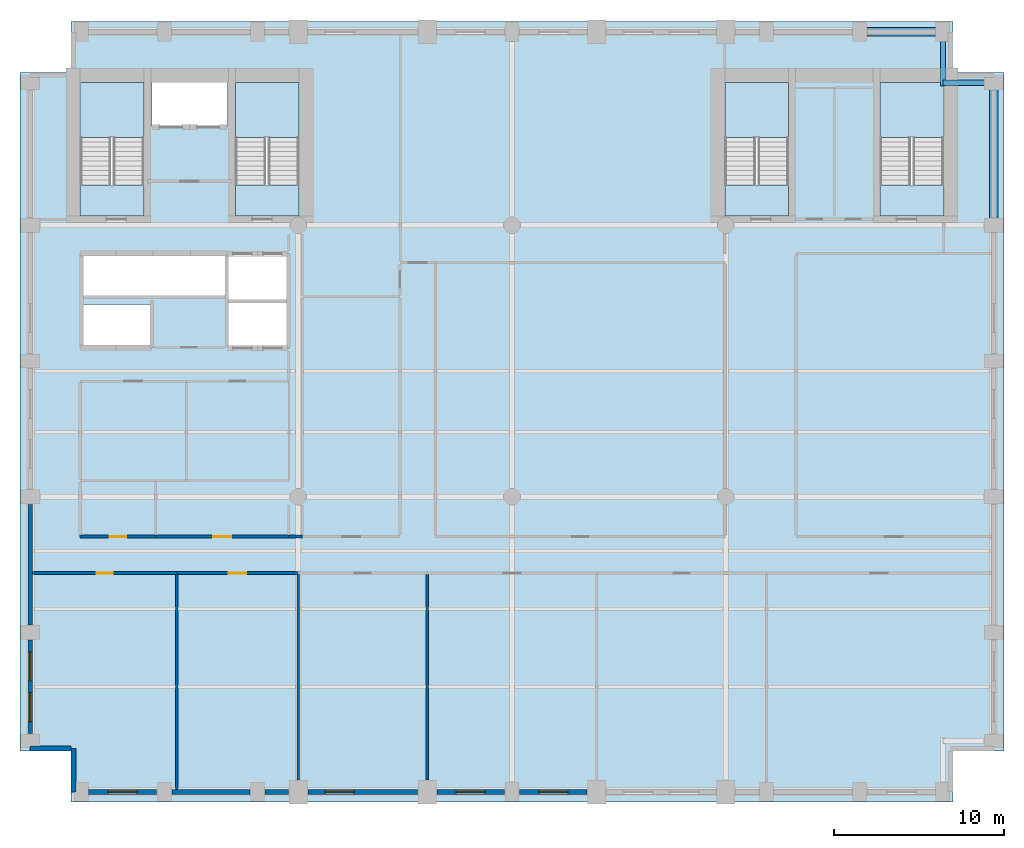
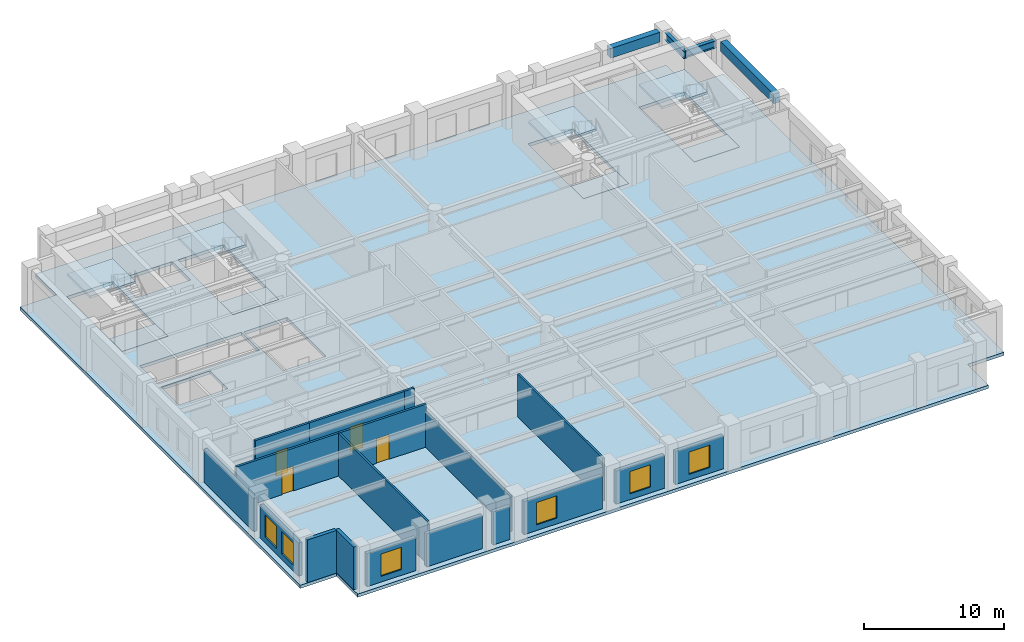
# One storey, part 2 of 8: 18 walls, 9 slabs, 6 windows, 4 beams, 4 doors, 10 openings, 4 elements without a shape of their own.
"""IFC4 building model written with IfcOpenShell, lengths in metres."""

import ifcopenshell
import ifcopenshell.guid

model = None  # the IFC model being written
_history = None  # IfcOwnerHistory: only IFC2X3 demands one
_inside = {}  # id of a spatial element -> (the spatial element, [elements in it])
_under = {}  # id of a project, library or spatial element -> (it, [spatial elements below it])
_declared = {}  # id of a project -> (the project, [libraries it declares])
_typed = {}  # id of a type object -> (the type object, [elements of that type])
_made_of = {}  # id of a material, layer set ... -> (it, [elements and type objects made of it])


def new_model(schema):
    """Start an empty IFC model of exactly this schema.

    Asked for "IFC4X3", IfcOpenShell would pick the latest addendum, in which some entities
    have other attributes; the version numbers below select the first issue.
    IFC2X3 requires an IfcOwnerHistory on every rooted entity: one is made here for all.
    """
    global model, _history
    if schema == "IFC4X3":
        model = ifcopenshell.file(schema_version=(4, 3, 0, 0))
    else:
        model = ifcopenshell.file(schema=schema)
    _inside.clear()
    _under.clear()
    _declared.clear()
    _typed.clear()
    _made_of.clear()
    _history = None
    if model.schema == "IFC2X3":
        org = make("IfcOrganization", Name="unknown")
        user = make(
            "IfcPersonAndOrganization",
            ThePerson=make("IfcPerson", FamilyName="unknown"),
            TheOrganization=org,
        )
        app = make(
            "IfcApplication",
            ApplicationDeveloper=org,
            Version="unknown",
            ApplicationFullName="unknown",
            ApplicationIdentifier="unknown",
        )
        _history = make(
            "IfcOwnerHistory",
            OwningUser=user,
            OwningApplication=app,
            ChangeAction="ADDED",
            CreationDate=0,
        )
    return model


def make(cls, **values):
    """One entity of the class cls with the attributes given. An attribute that is None is left unset."""
    return model.create_entity(
        cls, **{name: value for name, value in values.items() if value is not None}
    )


def rooted(cls, **values):
    """An entity with a GlobalId (a new one), such as an element, a storey or a relation."""
    return make(cls, GlobalId=ifcopenshell.guid.new(), OwnerHistory=_history, **values)


def si_unit(unit_type, name, prefix=None):
    """IfcSIUnit, for example si_unit("LENGTHUNIT", "METRE", prefix="MILLI")."""
    return make("IfcSIUnit", UnitType=unit_type, Prefix=prefix, Name=name)


def assignment(units):
    """IfcUnitAssignment: the units of a project."""
    return None if units is None else make("IfcUnitAssignment", Units=units)


def point(xyz):
    """IfcCartesianPoint."""
    return None if xyz is None else make("IfcCartesianPoint", Coordinates=xyz)


def direction(xyz):
    """IfcDirection."""
    return None if xyz is None else make("IfcDirection", DirectionRatios=xyz)


def frame(location, z_axis=None, x_axis=None):
    """IfcAxis2Placement3D, a coordinate frame: its origin and axes. An axis left out is left unset."""
    return make(
        "IfcAxis2Placement3D",
        Location=point(location),
        Axis=direction(z_axis),
        RefDirection=direction(x_axis),
    )


def frame_2d(location, x_axis=None):
    """IfcAxis2Placement2D, a coordinate frame in the plane: its origin and x axis."""
    return make(
        "IfcAxis2Placement2D", Location=point(location), RefDirection=direction(x_axis)
    )


def origin():
    """The frame at (0, 0, 0) with its axes left unset."""
    return frame((0.0, 0.0, 0.0))


def origin_2d():
    """The frame at (0, 0) in the plane with its x axis left unset."""
    return frame_2d((0.0, 0.0))


def place(relative_to, where):
    """IfcLocalPlacement: puts the frame where relative to a parent placement (None: the world)."""
    return make(
        "IfcLocalPlacement", PlacementRelTo=relative_to, RelativePlacement=where
    )


def context(
    kind, dimensions, precision=None, world=None, true_north=None, identifier=None
):
    """IfcGeometricRepresentationContext, for example the 3D "Model" context."""
    return make(
        "IfcGeometricRepresentationContext",
        ContextIdentifier=identifier,
        ContextType=kind,
        CoordinateSpaceDimension=dimensions,
        Precision=precision,
        WorldCoordinateSystem=world,
        TrueNorth=true_north,
    )


def subcontext(parent, identifier, kind, view, scale=None):
    """IfcGeometricRepresentationSubContext, for example "Body" below "Model"."""
    return make(
        "IfcGeometricRepresentationSubContext",
        ContextIdentifier=identifier,
        ContextType=kind,
        ParentContext=parent,
        TargetScale=scale,
        TargetView=view,
    )


def project(units=None, contexts=None):
    """IfcProject with its units and contexts."""
    return rooted(
        "IfcProject",
        Name="project",
        RepresentationContexts=contexts,
        UnitsInContext=assignment(units),
    )


def spatial(cls, under=None, at=None, **own):
    """A site, building, storey or space (cls), placed at a placement, below another one or the project."""
    s = rooted(cls, ObjectPlacement=at, **own)
    if under is not None:
        _under.setdefault(under.id(), (under, []))[1].append(s)
    return s


def polyline(points):
    """IfcPolyline through the points."""
    return make("IfcPolyline", Points=[point(p) for p in points])


def profile(cls, at=None, kind="AREA", **sizes):
    """A parametric profile (cls). Its sizes go by their IFC names, for example OverallWidth=200.0."""
    return make(cls, ProfileType=kind, Position=at, **sizes)


def rectangle(**sizes):
    """IfcRectangleProfileDef."""
    return profile("IfcRectangleProfileDef", **sizes)


def i_section(**sizes):
    """IfcIShapeProfileDef."""
    return profile("IfcIShapeProfileDef", **sizes)


def outline(outer, holes=None, kind="AREA"):
    """IfcArbitraryClosedProfileDef: a profile drawn as a closed curve; with holes, ...WithVoids."""
    if holes is None:
        return make("IfcArbitraryClosedProfileDef", ProfileType=kind, OuterCurve=outer)
    return make(
        "IfcArbitraryProfileDefWithVoids",
        ProfileType=kind,
        OuterCurve=outer,
        InnerCurves=holes,
    )


def extrude(swept, where, along, depth):
    """IfcExtrudedAreaSolid: the profile swept, set in the frame where, extruded along a direction by depth."""
    return make(
        "IfcExtrudedAreaSolid",
        SweptArea=swept,
        Position=where,
        ExtrudedDirection=direction(along),
        Depth=depth,
    )


def shape(context_of_items, identifier, shape_type, items):
    """IfcShapeRepresentation: the items that make up one representation, for example the "Body"."""
    return make(
        "IfcShapeRepresentation",
        ContextOfItems=context_of_items,
        RepresentationIdentifier=identifier,
        RepresentationType=shape_type,
        Items=items,
    )


def material(Name=None, Category=None):
    """IfcMaterial."""
    return make("IfcMaterial", Name=Name, Category=Category)


def layer(
    of_material, thickness, ventilated=None, Name=None, Category=None, Priority=None
):
    """IfcMaterialLayer: one layer of a wall or slab, of a material (None: an air gap)."""
    return make(
        "IfcMaterialLayer",
        Material=of_material,
        LayerThickness=thickness,
        IsVentilated=ventilated,
        Name=Name,
        Category=Category,
        Priority=Priority,
    )


def layer_set(layers, Name=None):
    """IfcMaterialLayerSet."""
    return make("IfcMaterialLayerSet", MaterialLayers=layers, LayerSetName=Name)


def material_profile(
    of_material, cross_section, Name=None, Category=None, Priority=None
):
    """IfcMaterialProfile: a cross section and its material."""
    return make(
        "IfcMaterialProfile",
        Name=Name,
        Material=of_material,
        Profile=cross_section,
        Priority=Priority,
        Category=Category,
    )


def profile_set(profiles, Name=None, composite=None):
    """IfcMaterialProfileSet."""
    return make(
        "IfcMaterialProfileSet",
        Name=Name,
        MaterialProfiles=profiles,
        CompositeProfile=composite,
    )


def made_of(thing, what):
    """Note that an element or type object is made of a material, layer set ...; save() writes the relation."""
    if what is not None:
        _made_of.setdefault(what.id(), (what, []))[1].append(thing)
    return thing


def type_object(cls, material=None, **own):
    """A type object (cls), such as IfcWallType, which elements share."""
    return made_of(rooted(cls, **own), material)


def element(
    cls,
    number,
    at=None,
    inside=None,
    cuts=None,
    type_object=None,
    material=None,
    context=None,
    identifier="Body",
    shape_type=None,
    held_by="IfcProductDefinitionShape",
    body=None,
    shapes=None,
    **own,
):
    """One element of the class cls, such as IfcWall. Its Tag is "e" and its number.

    at: its placement. inside: the storey or other place that contains it. cuts: it is an
    opening in that element (IfcRelVoidsElement). A single representation is given by context,
    identifier, shape_type and body (its items); several are given by shapes. held_by: the class
    of the entity that holds the representations. save() writes the other relations.
    """
    e = rooted(cls, Tag="e%d" % number, ObjectPlacement=at, **own)
    if body is not None:
        shapes = [shape(context, identifier, shape_type, body)]
    if shapes is not None:
        e.Representation = make(held_by, Representations=shapes)
    if inside is not None:
        _inside.setdefault(inside.id(), (inside, []))[1].append(e)
    if cuts is not None:
        rooted(
            "IfcRelVoidsElement", RelatingBuildingElement=cuts, RelatedOpeningElement=e
        )
    if type_object is not None:
        _typed.setdefault(type_object.id(), (type_object, []))[1].append(e)
    return made_of(e, material)


def fill(opening, filler):
    """IfcRelFillsElement: the door or window that sits in an opening."""
    return rooted(
        "IfcRelFillsElement",
        RelatingOpeningElement=opening,
        RelatedBuildingElement=filler,
    )


def aggregate(whole, parts):
    """IfcRelAggregates: a whole, such as a stair, and the parts it consists of."""
    return rooted("IfcRelAggregates", RelatingObject=whole, RelatedObjects=parts)


def save(model, path):
    """Write the relations noted so far, then the file.

    IfcRelAggregates (storeys below a building ...), IfcRelContainedInSpatialStructure (elements
    in a storey), IfcRelDefinesByType, IfcRelAssociatesMaterial and IfcRelDeclares: one each for
    every whole, place, type object, material and project.
    """
    for whole, parts in _under.values():
        aggregate(whole, parts)
    for where, things in _inside.values():
        rooted(
            "IfcRelContainedInSpatialStructure",
            RelatedElements=things,
            RelatingStructure=where,
        )
    for kind, things in _typed.values():
        rooted("IfcRelDefinesByType", RelatedObjects=things, RelatingType=kind)
    for what, things in _made_of.values():
        rooted("IfcRelAssociatesMaterial", RelatedObjects=things, RelatingMaterial=what)
    for by, libraries in _declared.values():
        rooted("IfcRelDeclares", RelatingContext=by, RelatedDefinitions=libraries)
    model.write(path)


model = new_model("IFC4")

# Units and contexts
model_context = context("Model", 3, precision=1e-05, world=origin(), true_north=direction((0.0, 1.0)))
body_context = subcontext(model_context, "Body", "Model", "MODEL_VIEW")
ifc_project = project(units=[si_unit("LENGTHUNIT", "METRE"), si_unit("AREAUNIT", "SQUARE_METRE"), si_unit("VOLUMEUNIT", "CUBIC_METRE"), si_unit("PLANEANGLEUNIT", "RADIAN"), si_unit("MASSUNIT", "GRAM", prefix="KILO")], contexts=[model_context])

# Site, building, storey
site_placement = place(None, origin())
site = spatial("IfcSite", under=ifc_project, at=site_placement, CompositionType="ELEMENT")
building_placement = place(site_placement, origin())
building = spatial("IfcBuilding", under=site, at=building_placement, Name="Sulina Concourse Tower", CompositionType="ELEMENT")
storey_placement = place(building_placement, frame((0.0, 0.0, 136.60009765625)))
storey = spatial("IfcBuildingStorey", under=building, at=storey_placement, Name="L33", CompositionType="ELEMENT", Elevation=136.60009765625)

# Beams
ifc_material_1 = material(Name="Steel S355", Category="steel")
ifc_material_profile_1 = material_profile(ifc_material_1, i_section(OverallWidth=0.300048828125, OverallDepth=0.64990234375, WebThickness=0.01611328125, FlangeThickness=0.031005859375, at=origin_2d()), Name="HE 650 B")
ifc_profile_set_1 = profile_set([ifc_material_profile_1], Name="Steel S355")
beam_type_1 = type_object("IfcBeamType", Name="Floor Primary Girder Zone 2 HE650B", PredefinedType="BEAM", material=ifc_profile_set_1)
beam_1_placement = place(storey_placement, frame((54.39990234375, 42.39990234375, 3.39990234375), z_axis=(1.0, 0.0, 0.0), x_axis=(0.0, 1.0, 0.0)))
element("IfcBeam", 1, at=beam_1_placement, inside=storey, type_object=beam_type_1, Name="TIE-NE-L33", PredefinedType="BEAM", context=body_context, shape_type="SweptSolid", body=[
    extrude(i_section(OverallWidth=0.300048828125, OverallDepth=0.64990234375, WebThickness=0.01611328125, FlangeThickness=0.031005859375, at=origin_2d()), origin(), (0.0, 0.0, 1.0), 2.59521484375),
])
beam_2_placement = place(storey_placement, frame((54.39990234375, 42.199951171875, 3.39990234375), z_axis=(0.0, 1.0, 0.0), x_axis=(-1.0, 0.0, 0.0)))
element("IfcBeam", 2, at=beam_2_placement, inside=storey, type_object=beam_type_1, Name="TIE-NEN-L33", PredefinedType="BEAM", context=body_context, shape_type="SweptSolid", body=[
    extrude(i_section(OverallWidth=0.300048828125, OverallDepth=0.64990234375, WebThickness=0.01611328125, FlangeThickness=0.031005859375, at=origin_2d()), origin(), (0.0, 0.0, 1.0), 2.795166015625),
])
ifc_material_2 = material(Name="Precast concrete C50/60", Category="concrete")
ifc_material_profile_2 = material_profile(ifc_material_2, rectangle(XDim=0.5, YDim=0.85009765625, at=origin_2d()), Name="RC 500x850")
ifc_profile_set_2 = profile_set([ifc_material_profile_2], Name="Precast concrete C50/60")
beam_type_2 = type_object("IfcBeamType", Name="Lower Precast Spandrel Edge Beam 500x850", PredefinedType="BEAM", material=ifc_profile_set_2)
beam_3_placement = place(storey_placement, frame((49.905029296875, 45.39990234375, 3.2998046875), z_axis=(1.0, 0.0, 0.0), x_axis=(0.0, 1.0, 0.0)))
element("IfcBeam", 3, at=beam_3_placement, inside=storey, type_object=beam_type_2, Name="SP-N10-L33", PredefinedType="BEAM", context=body_context, shape_type="SweptSolid", body=[
    extrude(rectangle(XDim=0.5, YDim=0.85009765625, at=origin_2d()), origin(), (0.0, 0.0, 1.0), 4.090087890625),
])
beam_4_placement = place(storey_placement, frame((57.39990234375, 34.405029296875, 3.2998046875), z_axis=(0.0, 1.0, 0.0), x_axis=(-1.0, 0.0, 0.0)))
element("IfcBeam", 4, at=beam_4_placement, inside=storey, type_object=beam_type_2, Name="SP-E5-L33", PredefinedType="BEAM", context=body_context, shape_type="SweptSolid", body=[
    extrude(rectangle(XDim=0.5, YDim=0.85009765625, at=origin_2d()), origin(), (0.0, 0.0, 1.0), 7.590087890625),
])

# Slabs
ifc_material_3 = material(Name="Concrete C50/60", Category="concrete")
ifc_layer_1 = layer(ifc_material_3, 0.27490234375)
ifc_layer_set_1 = layer_set([ifc_layer_1], Name="Concrete C50/60")
slab_type_1 = type_object("IfcSlabType", Name="Mid-Rise Composite Floor Slab 275mm", PredefinedType="FLOOR", material=ifc_layer_set_1)
slab_1_placement = place(storey_placement, frame((0.0, 0.0, -0.275146484375)))
element("IfcSlab", 5, at=slab_1_placement, inside=storey, type_object=slab_type_1, Name="L33 structural floor slab", PredefinedType="FLOOR", context=body_context, shape_type="SweptSolid", body=[
    extrude(outline(polyline([(3.0, 0.0), (55.0, 0.0), (55.0, 3.0), (58.0, 3.0), (58.0, 43.0), (55.0, 43.0), (55.0, 46.0), (3.0, 46.0), (3.0, 43.0), (0.0, 43.0), (0.0, 3.0), (3.0, 3.0), (3.0, 0.0)]), holes=[polyline([(7.31005859375, 34.550048828125), (7.31005859375, 42.429931640625), (3.550048828125, 42.429931640625), (3.550048828125, 34.550048828125), (7.31005859375, 34.550048828125)]), polyline([(16.449951171875, 34.550048828125), (16.449951171875, 42.429931640625), (12.68994140625, 42.429931640625), (12.68994140625, 34.550048828125), (16.449951171875, 34.550048828125)]), polyline([(45.31005859375, 34.550048828125), (45.31005859375, 42.429931640625), (41.550048828125, 42.429931640625), (41.550048828125, 34.550048828125), (45.31005859375, 34.550048828125)]), polyline([(54.449951171875, 34.550048828125), (54.449951171875, 42.429931640625), (50.68994140625, 42.429931640625), (50.68994140625, 34.550048828125), (54.449951171875, 34.550048828125)]), polyline([(7.780029296875, 39.830078125), (12.219970703125, 39.830078125), (12.219970703125, 42.449951171875), (7.780029296875, 42.449951171875), (7.780029296875, 39.830078125)]), polyline([(3.739990234375, 26.780029296875), (7.77001953125, 26.780029296875), (7.77001953125, 29.320068359375), (3.739990234375, 29.320068359375), (3.739990234375, 26.780029296875)]), polyline([(3.739990234375, 29.780029296875), (12.10009765625, 29.780029296875), (12.10009765625, 32.3701171875), (3.739990234375, 32.3701171875), (3.739990234375, 29.780029296875)]), polyline([(12.280029296875, 26.780029296875), (15.85009765625, 26.780029296875), (15.85009765625, 32.320068359375), (12.280029296875, 32.320068359375), (12.280029296875, 26.780029296875)])]), origin(), (0.0, 0.0, 1.0), 0.275146484375),
])
ifc_material_4 = material(Name="Concrete C50/60", Category="concrete")
ifc_layer_2 = layer(ifc_material_4, 0.199951171875)
ifc_layer_set_2 = layer_set([ifc_layer_2], Name="Concrete C50/60")
slab_type_2 = type_object("IfcSlabType", Name="Primary Core Stair Landing Slab 200mm", PredefinedType="LANDING", material=ifc_layer_set_2)
slab_2_placement = place(storey_placement, frame((0.0, 0.0, -0.2001953125)))
element("IfcSlab", 6, at=slab_2_placement, inside=storey, type_object=slab_type_2, Name="L33 ST-1 floor landing slab", PredefinedType="LANDING", context=body_context, shape_type="SweptSolid", body=[
    extrude(outline(polyline([(7.31005859375, 34.550048828125), (7.31005859375, 36.375), (3.550048828125, 36.375), (3.550048828125, 34.550048828125), (7.31005859375, 34.550048828125)])), origin(), (0.0, 0.0, 1.0), 0.2001953125),
])
slab_3_placement = place(storey_placement, frame((0.0, 0.0, -0.2001953125)))
element("IfcSlab", 7, at=slab_3_placement, inside=storey, type_object=slab_type_2, Name="L33 ST-2 floor landing slab", PredefinedType="LANDING", context=body_context, shape_type="SweptSolid", body=[
    extrude(outline(polyline([(16.449951171875, 34.550048828125), (16.449951171875, 36.375), (12.68994140625, 36.375), (12.68994140625, 34.550048828125), (16.449951171875, 34.550048828125)])), origin(), (0.0, 0.0, 1.0), 0.2001953125),
])
slab_4_placement = place(storey_placement, frame((0.0, 0.0, -0.2001953125)))
element("IfcSlab", 8, at=slab_4_placement, inside=storey, type_object=slab_type_2, Name="L33 ST-3 floor landing slab", PredefinedType="LANDING", context=body_context, shape_type="SweptSolid", body=[
    extrude(outline(polyline([(45.31005859375, 34.550048828125), (45.31005859375, 36.375), (41.550048828125, 36.375), (41.550048828125, 34.550048828125), (45.31005859375, 34.550048828125)])), origin(), (0.0, 0.0, 1.0), 0.2001953125),
])
slab_5_placement = place(storey_placement, frame((0.0, 0.0, -0.2001953125)))
element("IfcSlab", 9, at=slab_5_placement, inside=storey, type_object=slab_type_2, Name="L33 ST-4 floor landing slab", PredefinedType="LANDING", context=body_context, shape_type="SweptSolid", body=[
    extrude(outline(polyline([(54.449951171875, 34.550048828125), (54.449951171875, 36.375), (50.68994140625, 36.375), (50.68994140625, 34.550048828125), (54.449951171875, 34.550048828125)])), origin(), (0.0, 0.0, 1.0), 0.2001953125),
])

# Stair, slab
ifc_material_5 = material(Name="Concrete C50/60", Category="concrete")
stair_type_1 = type_object("IfcStairType", Name="Primary Core Dog-Leg Exit Stair 1800mm", PredefinedType="HALF_TURN_STAIR", material=ifc_material_5)
stair_1_placement = place(storey_placement, origin())
stair_1 = element("IfcStair", 10, at=stair_1_placement, inside=storey, type_object=stair_type_1, Name="L33 ST-1", PredefinedType="HALF_TURN_STAIR")
slab_6_placement = place(storey_placement, frame((0.0, 0.0, 1.7998046875)))
slab_6 = element("IfcSlab", 11, at=slab_6_placement, type_object=slab_type_2, Name="ST-1 landing 1", PredefinedType="LANDING", context=body_context, shape_type="SweptSolid", body=[
    extrude(outline(polyline([(7.304931640625, 39.175048828125), (7.304931640625, 42.425048828125), (3.554931640625, 42.425048828125), (3.554931640625, 39.175048828125), (7.304931640625, 39.175048828125)])), origin(), (0.0, 0.0, 1.0), 0.2001953125),
])
aggregate(stair_1, [slab_6])

stair_2_placement = place(storey_placement, origin())
stair_2 = element("IfcStair", 12, at=stair_2_placement, inside=storey, type_object=stair_type_1, Name="L33 ST-2", PredefinedType="HALF_TURN_STAIR")
slab_7_placement = place(storey_placement, frame((0.0, 0.0, 1.7998046875)))
slab_7 = element("IfcSlab", 13, at=slab_7_placement, type_object=slab_type_2, Name="ST-2 landing 1", PredefinedType="LANDING", context=body_context, shape_type="SweptSolid", body=[
    extrude(outline(polyline([(16.445068359375, 39.175048828125), (16.445068359375, 42.425048828125), (12.695068359375, 42.425048828125), (12.695068359375, 39.175048828125), (16.445068359375, 39.175048828125)])), origin(), (0.0, 0.0, 1.0), 0.2001953125),
])
aggregate(stair_2, [slab_7])

ifc_material_6 = material(Name="Concrete C50/60", Category="concrete")
stair_type_2 = type_object("IfcStairType", Name="Portal & Podium Core Exit Stair 1820mm", PredefinedType="HALF_TURN_STAIR", material=ifc_material_6)
stair_3_placement = place(storey_placement, origin())
stair_3 = element("IfcStair", 14, at=stair_3_placement, inside=storey, type_object=stair_type_2, Name="L33 ST-3", PredefinedType="HALF_TURN_STAIR")
slab_8_placement = place(storey_placement, frame((0.0, 0.0, 1.7998046875)))
slab_8 = element("IfcSlab", 15, at=slab_8_placement, type_object=slab_type_2, Name="ST-3 landing 1", PredefinedType="LANDING", context=body_context, shape_type="SweptSolid", body=[
    extrude(outline(polyline([(45.304931640625, 39.175048828125), (45.304931640625, 42.425048828125), (41.554931640625, 42.425048828125), (41.554931640625, 39.175048828125), (45.304931640625, 39.175048828125)])), origin(), (0.0, 0.0, 1.0), 0.2001953125),
])
aggregate(stair_3, [slab_8])

stair_4_placement = place(storey_placement, origin())
stair_4 = element("IfcStair", 16, at=stair_4_placement, inside=storey, type_object=stair_type_2, Name="L33 ST-4", PredefinedType="HALF_TURN_STAIR")
slab_9_placement = place(storey_placement, frame((0.0, 0.0, 1.7998046875)))
slab_9 = element("IfcSlab", 17, at=slab_9_placement, type_object=slab_type_2, Name="ST-4 landing 1", PredefinedType="LANDING", context=body_context, shape_type="SweptSolid", body=[
    extrude(outline(polyline([(54.445068359375, 39.175048828125), (54.445068359375, 42.425048828125), (50.695068359375, 42.425048828125), (50.695068359375, 39.175048828125), (54.445068359375, 39.175048828125)])), origin(), (0.0, 0.0, 1.0), 0.2001953125),
])
aggregate(stair_4, [slab_9])

# Walls
ifc_material_7 = material(Name="Gypsum board on steel stud", Category="steel")
ifc_layer_3 = layer(ifc_material_7, 0.14990234375)
ifc_layer_set_3 = layer_set([ifc_layer_3], Name="Gypsum board on steel stud")
wall_type_1 = type_object("IfcWallType", Name="Inter-Tenancy Acoustic Partition 150mm", PredefinedType="PARTITIONING", material=ifc_layer_set_3)
wall_1_placement = place(storey_placement, frame((9.239990234375, 0.739990234375, 0.0), z_axis=(0.0, 0.0, 1.0), x_axis=(0.0, 1.0, 0.0)))
element("IfcWall", 18, at=wall_1_placement, inside=storey, type_object=wall_type_1, Name="L33 interior partition 030", PredefinedType="PARTITIONING", context=body_context, shape_type="SweptSolid", body=[
    extrude(rectangle(XDim=12.669921875, YDim=0.14990234375, at=frame_2d((6.3349609375, 0.0))), origin(), (0.0, 0.0, 1.0), 3.724853515625),
])
wall_2_placement = place(storey_placement, frame((16.39990234375, 1.300048828125, 0.0), z_axis=(0.0, 0.0, 1.0), x_axis=(0.0, 1.0, 0.0)))
element("IfcWall", 19, at=wall_2_placement, inside=storey, type_object=wall_type_1, Name="L33 interior partition 036", PredefinedType="PARTITIONING", context=body_context, shape_type="SweptSolid", body=[
    extrude(rectangle(XDim=12.10986328125, YDim=0.14990234375, at=frame_2d((6.054931640625, 0.0))), origin(), (0.0, 0.0, 1.0), 3.06982421875),
])
wall_3_placement = place(storey_placement, frame((24.0, 1.300048828125, 0.0), z_axis=(0.0, 0.0, 1.0), x_axis=(0.0, 1.0, 0.0)))
element("IfcWall", 20, at=wall_3_placement, inside=storey, type_object=wall_type_1, Name="L33 interior partition 043", PredefinedType="PARTITIONING", context=body_context, shape_type="SweptSolid", body=[
    extrude(rectangle(XDim=12.10986328125, YDim=0.14990234375, at=frame_2d((6.054931640625, 0.0))), origin(), (0.0, 0.0, 1.0), 3.724853515625),
])

# Wall, opening, door
ifc_material_8 = material(Name="Gypsum board on steel stud", Category="steel")
ifc_layer_4 = layer(ifc_material_8, 0.179931640625)
ifc_layer_set_4 = layer_set([ifc_layer_4], Name="Gypsum board on steel stud")
wall_type_2 = type_object("IfcWallType", Name="Protected Corridor & Riser Partition 180mm", PredefinedType="PARTITIONING", material=ifc_layer_set_4)
wall_4_placement = place(storey_placement, frame((0.739990234375, 13.5, 0.0), z_axis=(0.0, 0.0, 1.0), x_axis=(1.0, 0.0, 0.0)))
wall_4 = element("IfcWall", 21, at=wall_4_placement, inside=storey, type_object=wall_type_2, Name="L33 interior partition 001", PredefinedType="PARTITIONING", context=body_context, shape_type="SweptSolid", body=[
    extrude(rectangle(XDim=8.5, YDim=0.179931640625, at=frame_2d((4.25, 0.0))), origin(), (0.0, 0.0, 1.0), 3.724853515625),
])
opening_1_placement = place(wall_4_placement, frame((3.77490234375, 0.0, 0.0)))
opening_1 = element("IfcOpeningElement", 22, at=opening_1_placement, cuts=wall_4, Name="Opening DR-19", PredefinedType="OPENING", context=body_context, shape_type="SweptSolid", body=[
    extrude(rectangle(XDim=0.949951171875, YDim=2.14990234375, at=frame_2d((0.47509765625, 1.074951171875))), frame((0.0, 0.099853515625, 0.0), z_axis=(0.0, -1.0, 0.0), x_axis=(1.0, 0.0, 0.0)), (0.0, 0.0, 1.0), 0.199951171875),
])
ifc_material_9 = material(Name="Oak-veneered acoustic timber leaf", Category="wood")
ifc_layer_5 = layer(ifc_material_9, 0.050048828125)
ifc_layer_set_5 = layer_set([ifc_layer_5], Name="Oak-veneered acoustic timber leaf")
door_type_1 = type_object("IfcDoorType", Name="Cellular Office & Meeting Door 950x2150", OperationType="NOTDEFINED", PredefinedType="DOOR", material=ifc_layer_set_5)
door_1_placement = place(opening_1_placement, origin())
door_1 = element("IfcDoor", 23, at=door_1_placement, inside=storey, type_object=door_type_1, Name="L33 interior door L33-S01", OperationType="SINGLE_SWING_RIGHT", OverallHeight=2.14990234375, OverallWidth=0.949951171875, PredefinedType="DOOR", context=body_context, shape_type="SweptSolid", body=[
    extrude(rectangle(XDim=0.949951171875, YDim=2.14990234375, at=frame_2d((0.47509765625, 1.074951171875))), frame((0.0, 0.02490234375, 0.0), z_axis=(0.0, -1.0, 0.0), x_axis=(1.0, 0.0, 0.0)), (0.0, 0.0, 1.0), 0.050048828125),
])
fill(opening_1, door_1)

wall_5_placement = place(storey_placement, frame((9.239990234375, 13.5, 0.0), z_axis=(0.0, 0.0, 1.0), x_axis=(1.0, 0.0, 0.0)))
wall_5 = element("IfcWall", 24, at=wall_5_placement, inside=storey, type_object=wall_type_2, Name="L33 interior partition 002", PredefinedType="PARTITIONING", context=body_context, shape_type="SweptSolid", body=[
    extrude(rectangle(XDim=7.159912109375, YDim=0.179931640625, at=frame_2d((3.580078125, 0.0))), origin(), (0.0, 0.0, 1.0), 3.724853515625),
])
opening_2_placement = place(wall_5_placement, frame((3.054931640625, 0.0, 0.0)))
opening_2 = element("IfcOpeningElement", 25, at=opening_2_placement, cuts=wall_5, Name="Opening DR-37", PredefinedType="OPENING", context=body_context, shape_type="SweptSolid", body=[
    extrude(rectangle(XDim=1.050048828125, YDim=2.14990234375, at=frame_2d((0.52490234375, 1.074951171875))), frame((0.0, 0.099853515625, 0.0), z_axis=(0.0, -1.0, 0.0), x_axis=(1.0, 0.0, 0.0)), (0.0, 0.0, 1.0), 0.199951171875),
])
ifc_material_10 = material(Name="Oak-veneered fire door leaf")
ifc_layer_6 = layer(ifc_material_10, 0.050048828125)
ifc_layer_set_6 = layer_set([ifc_layer_6], Name="Oak-veneered fire door leaf")
door_type_2 = type_object("IfcDoorType", Name="Tenant Suite Entrance Fire Door 1050x2150", OperationType="NOTDEFINED", PredefinedType="DOOR", material=ifc_layer_set_6)
door_2_placement = place(opening_2_placement, origin())
door_2 = element("IfcDoor", 26, at=door_2_placement, inside=storey, type_object=door_type_2, Name="L33 interior door L33-S02", OperationType="SINGLE_SWING_LEFT", OverallHeight=2.14990234375, OverallWidth=1.050048828125, PredefinedType="DOOR", context=body_context, shape_type="SweptSolid", body=[
    extrude(rectangle(XDim=1.050048828125, YDim=2.14990234375, at=frame_2d((0.52490234375, 1.074951171875))), frame((0.0, 0.02490234375, 0.0), z_axis=(0.0, -1.0, 0.0), x_axis=(1.0, 0.0, 0.0)), (0.0, 0.0, 1.0), 0.050048828125),
])
fill(opening_2, door_2)

wall_6_placement = place(storey_placement, frame((3.550048828125, 15.64990234375, 0.0), z_axis=(0.0, 0.0, 1.0), x_axis=(1.0, 0.0, 0.0)))
wall_6 = element("IfcWall", 27, at=wall_6_placement, inside=storey, type_object=wall_type_2, Name="L33 interior partition 007", PredefinedType="PARTITIONING", context=body_context, shape_type="SweptSolid", body=[
    extrude(rectangle(XDim=4.449951171875, YDim=0.179931640625, at=frame_2d((2.22509765625, 0.0))), origin(), (0.0, 0.0, 1.0), 3.724853515625),
])
opening_3_placement = place(wall_6_placement, frame((1.75, 0.0, 0.0)))
opening_3 = element("IfcOpeningElement", 28, at=opening_3_placement, cuts=wall_6, Name="Opening DR-19", PredefinedType="OPENING", context=body_context, shape_type="SweptSolid", body=[
    extrude(rectangle(XDim=0.949951171875, YDim=2.14990234375, at=frame_2d((0.47509765625, 1.074951171875))), frame((0.0, 0.099853515625, 0.0), z_axis=(0.0, -1.0, 0.0), x_axis=(1.0, 0.0, 0.0)), (0.0, 0.0, 1.0), 0.199951171875),
])
door_3_placement = place(opening_3_placement, origin())
door_3 = element("IfcDoor", 29, at=door_3_placement, inside=storey, type_object=door_type_1, Name="L33 interior door L33-WSB-1", OperationType="SINGLE_SWING_RIGHT", OverallHeight=2.14990234375, OverallWidth=0.949951171875, PredefinedType="DOOR", context=body_context, shape_type="SweptSolid", body=[
    extrude(rectangle(XDim=0.949951171875, YDim=2.14990234375, at=frame_2d((0.47509765625, 1.074951171875))), frame((0.0, 0.02490234375, 0.0), z_axis=(0.0, -1.0, 0.0), x_axis=(1.0, 0.0, 0.0)), (0.0, 0.0, 1.0), 0.050048828125),
])
fill(opening_3, door_3)

wall_7_placement = place(storey_placement, frame((8.0, 15.64990234375, 0.0), z_axis=(0.0, 0.0, 1.0), x_axis=(1.0, 0.0, 0.0)))
wall_7 = element("IfcWall", 30, at=wall_7_placement, inside=storey, type_object=wall_type_2, Name="L33 interior partition 008", PredefinedType="PARTITIONING", context=body_context, shape_type="SweptSolid", body=[
    extrude(rectangle(XDim=7.85009765625, YDim=0.179931640625, at=frame_2d((3.925048828125, 0.0))), origin(), (0.0, 0.0, 1.0), 3.724853515625),
])
opening_4_placement = place(wall_7_placement, frame((3.39990234375, 0.0, 0.0)))
opening_4 = element("IfcOpeningElement", 31, at=opening_4_placement, cuts=wall_7, Name="Opening DR-37", PredefinedType="OPENING", context=body_context, shape_type="SweptSolid", body=[
    extrude(rectangle(XDim=1.050048828125, YDim=2.14990234375, at=frame_2d((0.52490234375, 1.074951171875))), frame((0.0, 0.099853515625, 0.0), z_axis=(0.0, -1.0, 0.0), x_axis=(1.0, 0.0, 0.0)), (0.0, 0.0, 1.0), 0.199951171875),
])
door_4_placement = place(opening_4_placement, origin())
door_4 = element("IfcDoor", 32, at=door_4_placement, inside=storey, type_object=door_type_2, Name="L33 interior door L33-WSB-2", OperationType="SINGLE_SWING_LEFT", OverallHeight=2.14990234375, OverallWidth=1.050048828125, PredefinedType="DOOR", context=body_context, shape_type="SweptSolid", body=[
    extrude(rectangle(XDim=1.050048828125, YDim=2.14990234375, at=frame_2d((0.52490234375, 1.074951171875))), frame((0.0, 0.02490234375, 0.0), z_axis=(0.0, -1.0, 0.0), x_axis=(1.0, 0.0, 0.0)), (0.0, 0.0, 1.0), 0.050048828125),
])
fill(opening_4, door_4)

# Wall
wall_8_placement = place(storey_placement, frame((15.85009765625, 15.64990234375, 0.0), z_axis=(0.0, 0.0, 1.0), x_axis=(1.0, 0.0, 0.0)))
element("IfcWall", 33, at=wall_8_placement, inside=storey, type_object=wall_type_2, Name="L33 interior partition 009", PredefinedType="PARTITIONING", context=body_context, shape_type="SweptSolid", body=[
    extrude(rectangle(XDim=0.7998046875, YDim=0.179931640625, at=frame_2d((0.39990234375, 0.0))), origin(), (0.0, 0.0, 1.0), 3.724853515625),
])

# Wall, opening, window
ifc_material_11 = material(Name="Precast concrete C50/60", Category="concrete")
ifc_layer_7 = layer(ifc_material_11, 0.280029296875)
ifc_layer_set_7 = layer_set([ifc_layer_7], Name="Precast concrete C50/60")
wall_type_3 = type_object("IfcWallType", Name="Typical Precast Masonry-Frame Facade Wall 280mm", PredefinedType="SOLIDWALL", material=ifc_layer_set_7)
wall_9_placement = place(storey_placement, frame((8.054931640625, 0.60009765625, 0.0), z_axis=(0.0, 0.0, 1.0), x_axis=(-1.0, 0.0, 0.0)))
wall_9 = element("IfcWall", 34, at=wall_9_placement, inside=storey, type_object=wall_type_3, Name="L33 exterior precast wall S1", PredefinedType="SOLIDWALL", context=body_context, shape_type="SweptSolid", body=[
    extrude(rectangle(XDim=4.010009765625, YDim=0.280029296875, at=frame_2d((2.0048828125, 0.0))), origin(), (0.0, 0.0, 1.0), 2.875),
])
opening_5_placement = place(wall_9_placement, frame((1.155029296875, 0.0, 0.5)))
opening_5 = element("IfcOpeningElement", 35, at=opening_5_placement, cuts=wall_9, Name="Opening WN-66", PredefinedType="OPENING", context=body_context, shape_type="SweptSolid", body=[
    extrude(rectangle(XDim=1.699951171875, YDim=1.949951171875, at=frame_2d((0.85009765625, 0.97509765625))), frame((0.0, 0.14990234375, 0.0), z_axis=(0.0, -1.0, 0.0), x_axis=(1.0, 0.0, 0.0)), (0.0, 0.0, 1.0), 0.300048828125),
])
ifc_material_12 = material(Name="Low-E solar double glazing in bronze aluminium", Category="aluminium")
window_type = type_object("IfcWindowType", Name="Recessed Spandrel Window 1700x1950", PartitioningType="SINGLE_PANEL", PredefinedType="WINDOW", material=ifc_material_12)
window_1_placement = place(opening_5_placement, origin())
window_1 = element("IfcWindow", 36, at=window_1_placement, inside=storey, type_object=window_type, Name="L33 punched window S1-1", OverallHeight=1.949951171875, OverallWidth=1.699951171875, PartitioningType="SINGLE_PANEL", PredefinedType="WINDOW", context=body_context, shape_type="SweptSolid", body=[
    extrude(rectangle(XDim=1.699951171875, YDim=1.949951171875, at=frame_2d((0.85009765625, 0.97509765625))), frame((0.0, 0.030029296875, 0.0), z_axis=(0.0, -1.0, 0.0), x_axis=(1.0, 0.0, 0.0)), (0.0, 0.0, 1.0), 0.06005859375),
])
fill(opening_5, window_1)

# Walls
wall_10_placement = place(storey_placement, frame((13.554931640625, 0.60009765625, 0.0), z_axis=(0.0, 0.0, 1.0), x_axis=(-1.0, 0.0, 0.0)))
element("IfcWall", 37, at=wall_10_placement, inside=storey, type_object=wall_type_3, Name="L33 exterior precast wall S2", PredefinedType="SOLIDWALL", context=body_context, shape_type="SweptSolid", body=[
    extrude(rectangle(XDim=4.60986328125, YDim=0.280029296875, at=frame_2d((2.304931640625, 0.0))), origin(), (0.0, 0.0, 1.0), 2.875),
])
wall_11_placement = place(storey_placement, frame((15.830078125, 0.60009765625, 0.0), z_axis=(0.0, 0.0, 1.0), x_axis=(-1.0, 0.0, 0.0)))
element("IfcWall", 38, at=wall_11_placement, inside=storey, type_object=wall_type_3, Name="L33 exterior precast wall S3", PredefinedType="SOLIDWALL", context=body_context, shape_type="SweptSolid", body=[
    extrude(rectangle(XDim=1.385009765625, YDim=0.280029296875, at=frame_2d((0.6923828125, 0.0))), origin(), (0.0, 0.0, 1.0), 2.875),
])

# Wall, opening, window
wall_12_placement = place(storey_placement, frame((23.429931640625, 0.60009765625, 0.0), z_axis=(0.0, 0.0, 1.0), x_axis=(-1.0, 0.0, 0.0)))
wall_12 = element("IfcWall", 39, at=wall_12_placement, inside=storey, type_object=wall_type_3, Name="L33 exterior precast wall S4", PredefinedType="SOLIDWALL", context=body_context, shape_type="SweptSolid", body=[
    extrude(rectangle(XDim=6.4599609375, YDim=0.280029296875, at=frame_2d((3.22998046875, 0.0))), origin(), (0.0, 0.0, 1.0), 2.875),
])
opening_6_placement = place(wall_12_placement, frame((3.739990234375, 0.0, 0.5)))
opening_6 = element("IfcOpeningElement", 40, at=opening_6_placement, cuts=wall_12, Name="Opening WN-66", PredefinedType="OPENING", context=body_context, shape_type="SweptSolid", body=[
    extrude(rectangle(XDim=1.699951171875, YDim=1.949951171875, at=frame_2d((0.85009765625, 0.97509765625))), frame((0.0, 0.14990234375, 0.0), z_axis=(0.0, -1.0, 0.0), x_axis=(1.0, 0.0, 0.0)), (0.0, 0.0, 1.0), 0.300048828125),
])
window_2_placement = place(opening_6_placement, origin())
window_2 = element("IfcWindow", 41, at=window_2_placement, inside=storey, type_object=window_type, Name="L33 punched window S4-1", OverallHeight=1.949951171875, OverallWidth=1.699951171875, PartitioningType="SINGLE_PANEL", PredefinedType="WINDOW", context=body_context, shape_type="SweptSolid", body=[
    extrude(rectangle(XDim=1.699951171875, YDim=1.949951171875, at=frame_2d((0.85009765625, 0.97509765625))), frame((0.0, 0.030029296875, 0.0), z_axis=(0.0, -1.0, 0.0), x_axis=(1.0, 0.0, 0.0)), (0.0, 0.0, 1.0), 0.06005859375),
])
fill(opening_6, window_2)

wall_13_placement = place(storey_placement, frame((28.554931640625, 0.60009765625, 0.0), z_axis=(0.0, 0.0, 1.0), x_axis=(-1.0, 0.0, 0.0)))
wall_13 = element("IfcWall", 42, at=wall_13_placement, inside=storey, type_object=wall_type_3, Name="L33 exterior precast wall S5", PredefinedType="SOLIDWALL", context=body_context, shape_type="SweptSolid", body=[
    extrude(rectangle(XDim=3.98486328125, YDim=0.280029296875, at=frame_2d((1.992431640625, 0.0))), origin(), (0.0, 0.0, 1.0), 2.875),
])
opening_7_placement = place(wall_13_placement, frame((1.142578125, 0.0, 0.5)))
opening_7 = element("IfcOpeningElement", 43, at=opening_7_placement, cuts=wall_13, Name="Opening WN-66", PredefinedType="OPENING", context=body_context, shape_type="SweptSolid", body=[
    extrude(rectangle(XDim=1.699951171875, YDim=1.949951171875, at=frame_2d((0.85009765625, 0.97509765625))), frame((0.0, 0.14990234375, 0.0), z_axis=(0.0, -1.0, 0.0), x_axis=(1.0, 0.0, 0.0)), (0.0, 0.0, 1.0), 0.300048828125),
])
window_3_placement = place(opening_7_placement, origin())
window_3 = element("IfcWindow", 44, at=window_3_placement, inside=storey, type_object=window_type, Name="L33 punched window S5-1", OverallHeight=1.949951171875, OverallWidth=1.699951171875, PartitioningType="SINGLE_PANEL", PredefinedType="WINDOW", context=body_context, shape_type="SweptSolid", body=[
    extrude(rectangle(XDim=1.699951171875, YDim=1.949951171875, at=frame_2d((0.85009765625, 0.97509765625))), frame((0.0, 0.030029296875, 0.0), z_axis=(0.0, -1.0, 0.0), x_axis=(1.0, 0.0, 0.0)), (0.0, 0.0, 1.0), 0.06005859375),
])
fill(opening_7, window_3)

wall_14_placement = place(storey_placement, frame((33.429931640625, 0.60009765625, 0.0), z_axis=(0.0, 0.0, 1.0), x_axis=(-1.0, 0.0, 0.0)))
wall_14 = element("IfcWall", 45, at=wall_14_placement, inside=storey, type_object=wall_type_3, Name="L33 exterior precast wall S6", PredefinedType="SOLIDWALL", context=body_context, shape_type="SweptSolid", body=[
    extrude(rectangle(XDim=3.98486328125, YDim=0.280029296875, at=frame_2d((1.992431640625, 0.0))), origin(), (0.0, 0.0, 1.0), 2.875),
])
opening_8_placement = place(wall_14_placement, frame((1.142578125, 0.0, 0.5)))
opening_8 = element("IfcOpeningElement", 46, at=opening_8_placement, cuts=wall_14, Name="Opening WN-66", PredefinedType="OPENING", context=body_context, shape_type="SweptSolid", body=[
    extrude(rectangle(XDim=1.699951171875, YDim=1.949951171875, at=frame_2d((0.85009765625, 0.97509765625))), frame((0.0, 0.14990234375, 0.0), z_axis=(0.0, -1.0, 0.0), x_axis=(1.0, 0.0, 0.0)), (0.0, 0.0, 1.0), 0.300048828125),
])
window_4_placement = place(opening_8_placement, origin())
window_4 = element("IfcWindow", 47, at=window_4_placement, inside=storey, type_object=window_type, Name="L33 punched window S6-1", OverallHeight=1.949951171875, OverallWidth=1.699951171875, PartitioningType="SINGLE_PANEL", PredefinedType="WINDOW", context=body_context, shape_type="SweptSolid", body=[
    extrude(rectangle(XDim=1.699951171875, YDim=1.949951171875, at=frame_2d((0.85009765625, 0.97509765625))), frame((0.0, 0.030029296875, 0.0), z_axis=(0.0, -1.0, 0.0), x_axis=(1.0, 0.0, 0.0)), (0.0, 0.0, 1.0), 0.06005859375),
])
fill(opening_8, window_4)

# Wall, openings, windows
wall_15_placement = place(storey_placement, frame((0.60009765625, 4.044921875, 0.0), z_axis=(0.0, 0.0, 1.0), x_axis=(0.0, 1.0, 0.0)))
wall_15 = element("IfcWall", 48, at=wall_15_placement, inside=storey, type_object=wall_type_3, Name="L33 exterior precast wall W1", PredefinedType="SOLIDWALL", context=body_context, shape_type="SweptSolid", body=[
    extrude(rectangle(XDim=5.510009765625, YDim=0.280029296875, at=frame_2d((2.7548828125, 0.0))), origin(), (0.0, 0.0, 1.0), 2.875),
])
opening_9_placement = place(wall_15_placement, frame((0.703369140625, 0.0, 0.5)))
opening_9 = element("IfcOpeningElement", 49, at=opening_9_placement, cuts=wall_15, Name="Opening WN-66", PredefinedType="OPENING", context=body_context, shape_type="SweptSolid", body=[
    extrude(rectangle(XDim=1.699951171875, YDim=1.949951171875, at=frame_2d((0.85009765625, 0.97509765625))), frame((0.0, 0.14990234375, 0.0), z_axis=(0.0, -1.0, 0.0), x_axis=(1.0, 0.0, 0.0)), (0.0, 0.0, 1.0), 0.300048828125),
])
opening_10_placement = place(wall_15_placement, frame((3.106689453125, 0.0, 0.5)))
opening_10 = element("IfcOpeningElement", 50, at=opening_10_placement, cuts=wall_15, Name="Opening WN-66", PredefinedType="OPENING", context=body_context, shape_type="SweptSolid", body=[
    extrude(rectangle(XDim=1.699951171875, YDim=1.949951171875, at=frame_2d((0.85009765625, 0.97509765625))), frame((0.0, 0.14990234375, 0.0), z_axis=(0.0, -1.0, 0.0), x_axis=(1.0, 0.0, 0.0)), (0.0, 0.0, 1.0), 0.300048828125),
])
window_5_placement = place(opening_9_placement, origin())
window_5 = element("IfcWindow", 51, at=window_5_placement, inside=storey, type_object=window_type, Name="L33 punched window W1-1", OverallHeight=1.949951171875, OverallWidth=1.699951171875, PartitioningType="SINGLE_PANEL", PredefinedType="WINDOW", context=body_context, shape_type="SweptSolid", body=[
    extrude(rectangle(XDim=1.699951171875, YDim=1.949951171875, at=frame_2d((0.85009765625, 0.97509765625))), frame((0.0, 0.030029296875, 0.0), z_axis=(0.0, -1.0, 0.0), x_axis=(1.0, 0.0, 0.0)), (0.0, 0.0, 1.0), 0.06005859375),
])
fill(opening_9, window_5)
window_6_placement = place(opening_10_placement, origin())
window_6 = element("IfcWindow", 52, at=window_6_placement, inside=storey, type_object=window_type, Name="L33 punched window W1-2", OverallHeight=1.949951171875, OverallWidth=1.699951171875, PartitioningType="SINGLE_PANEL", PredefinedType="WINDOW", context=body_context, shape_type="SweptSolid", body=[
    extrude(rectangle(XDim=1.699951171875, YDim=1.949951171875, at=frame_2d((0.85009765625, 0.97509765625))), frame((0.0, 0.030029296875, 0.0), z_axis=(0.0, -1.0, 0.0), x_axis=(1.0, 0.0, 0.0)), (0.0, 0.0, 1.0), 0.06005859375),
])
fill(opening_10, window_6)

# Walls
wall_16_placement = place(storey_placement, frame((0.60009765625, 10.445068359375, 0.0), z_axis=(0.0, 0.0, 1.0), x_axis=(0.0, 1.0, 0.0)))
element("IfcWall", 53, at=wall_16_placement, inside=storey, type_object=wall_type_3, Name="L33 exterior precast wall W2", PredefinedType="SOLIDWALL", context=body_context, shape_type="SweptSolid", body=[
    extrude(rectangle(XDim=7.10986328125, YDim=0.280029296875, at=frame_2d((3.554931640625, 0.0))), origin(), (0.0, 0.0, 1.0), 2.875),
])
wall_17_placement = place(storey_placement, frame((3.155029296875, 0.60009765625, 0.0), z_axis=(0.0, 0.0, 1.0), x_axis=(0.0, 1.0, 0.0)))
element("IfcWall", 54, at=wall_17_placement, inside=storey, type_object=wall_type_3, Name="L33 exterior precast wall CSW1", PredefinedType="SOLIDWALL", context=body_context, shape_type="SweptSolid", body=[
    extrude(rectangle(XDim=2.554931640625, YDim=0.280029296875, at=frame_2d((1.27734375, 0.0))), origin(), (0.0, 0.0, 1.0), 3.724853515625),
])
wall_18_placement = place(storey_placement, frame((3.010009765625, 3.155029296875, 0.0), z_axis=(0.0, 0.0, 1.0), x_axis=(-1.0, 0.0, 0.0)))
element("IfcWall", 55, at=wall_18_placement, inside=storey, type_object=wall_type_3, Name="L33 exterior precast wall CSW2", PredefinedType="SOLIDWALL", context=body_context, shape_type="SweptSolid", body=[
    extrude(rectangle(XDim=2.409912109375, YDim=0.280029296875, at=frame_2d((1.205078125, 0.0))), origin(), (0.0, 0.0, 1.0), 3.724853515625),
])

save(model, "model.ifc")
